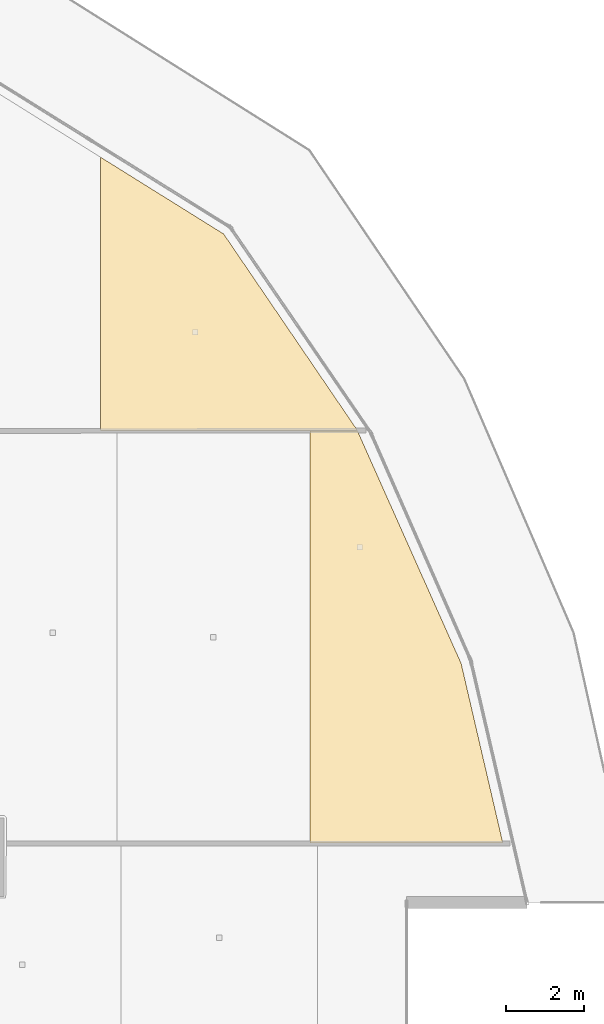
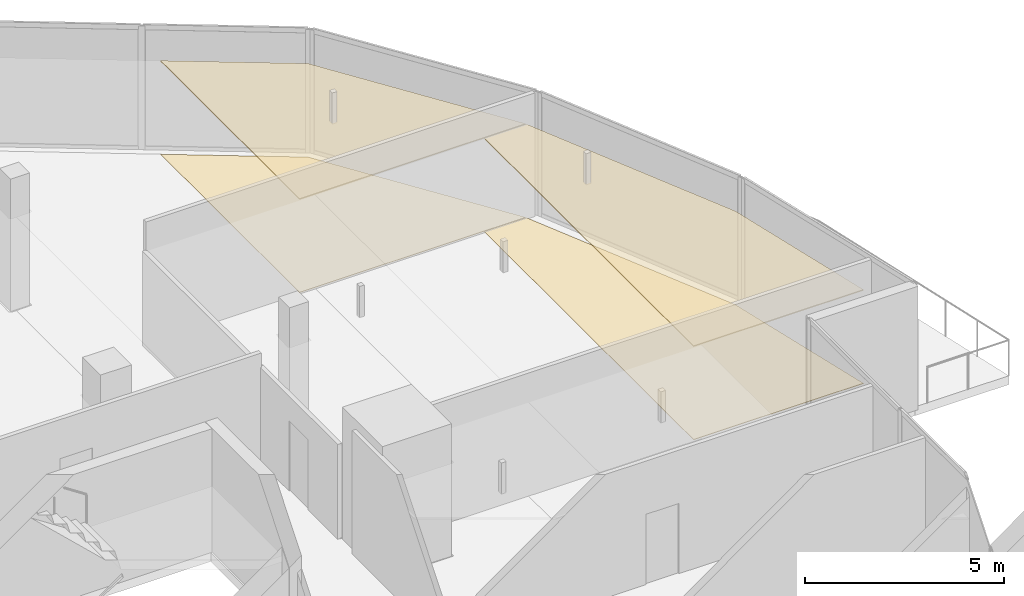
# One storey, part 37 of 37: 4 coverings.
"""IFC4 building model written with IfcOpenShell, lengths in metres."""

from ifc_helpers import new_model, si_unit, direction, frame, origin, place, context, subcontext, project, spatial, polyline, outline, extrude, material, layer, layer_set, type_object, element, save


model = new_model("IFC4")

# Units and contexts
model_context = context("Model", 3, precision=1e-05, world=origin(), true_north=direction((0.0, 1.0)))
body_context = subcontext(model_context, "Body", "Model", "MODEL_VIEW")
ifc_project = project(units=[si_unit("LENGTHUNIT", "METRE"), si_unit("AREAUNIT", "SQUARE_METRE"), si_unit("VOLUMEUNIT", "CUBIC_METRE"), si_unit("PLANEANGLEUNIT", "RADIAN"), si_unit("MASSUNIT", "GRAM", prefix="KILO")], contexts=[model_context])

# Site, building, storey
site_placement = place(None, origin())
site = spatial("IfcSite", under=ifc_project, at=site_placement, CompositionType="ELEMENT")
building_placement = place(site_placement, origin())
building = spatial("IfcBuilding", under=site, at=building_placement, Name="Qorvath Tower", CompositionType="ELEMENT")
storey_placement = place(building_placement, frame((0.0, 0.0, 184.800048828125)))
storey = spatial("IfcBuildingStorey", under=building, at=storey_placement, Name="L42", CompositionType="ELEMENT", Elevation=184.800048828125)

# Coverings
ifc_material_1 = material(Name="Acoustic mineral fibre ceiling tile", Category="gypsum")
ifc_layer_1 = layer(ifc_material_1, 0.030029296875)
ifc_layer_set_1 = layer_set([ifc_layer_1], Name="COV-CEIL")
covering_type_1 = type_object("IfcCoveringType", Name="COV-CEIL", PredefinedType="CEILING", material=ifc_layer_set_1)
covering_1_placement = place(storey_placement, frame((0.0, 0.0, 2.849853515625)))
element("IfcCovering", 1, at=covering_1_placement, inside=storey, type_object=covering_type_1, Name="L42 Suspended Acoustic Ceiling 015", PredefinedType="CEILING", context=body_context, shape_type="SweptSolid", body=[
    extrude(outline(polyline([(-8.6396484375, 23.598876953125), (-8.6396484375, 16.629638671875), (-2.091064453125, 16.634765625), (-5.499755859375, 21.64013671875), (-8.6396484375, 23.598876953125)])), origin(), (0.0, 0.0, 1.0), 0.030029296875),
])
covering_2_placement = place(storey_placement, frame((0.0, 0.0, 2.849853515625)))
element("IfcCovering", 2, at=covering_2_placement, inside=storey, type_object=covering_type_1, Name="L42 Suspended Acoustic Ceiling 035", PredefinedType="CEILING", context=body_context, shape_type="SweptSolid", body=[
    extrude(outline(polyline([(-3.302978515625, 16.615966796875), (-3.302978515625, 6.121826171875), (1.614013671875, 6.121826171875), (0.552734375, 10.695068359375), (-2.088134765625, 16.616943359375), (-3.302978515625, 16.615966796875)])), origin(), (0.0, 0.0, 1.0), 0.030029296875),
])
ifc_material_2 = material(Name="Low-VOC modular carpet tile", Category="textile")
ifc_layer_2 = layer(ifc_material_2, 0.014892578125)
ifc_layer_set_2 = layer_set([ifc_layer_2], Name="COV-FLOOR-CPT")
covering_type_2 = type_object("IfcCoveringType", Name="COV-FLOOR-CPT", PredefinedType="FLOORING", material=ifc_layer_set_2)
covering_3_placement = place(storey_placement, origin())
element("IfcCovering", 3, at=covering_3_placement, inside=storey, type_object=covering_type_2, Name="L42 Floor Finish 015", PredefinedType="FLOORING", context=body_context, shape_type="SweptSolid", body=[
    extrude(outline(polyline([(-8.6396484375, 23.598876953125), (-8.6396484375, 16.629638671875), (-2.091064453125, 16.634765625), (-5.499755859375, 21.64013671875), (-8.6396484375, 23.598876953125)])), origin(), (0.0, 0.0, 1.0), 0.014892578125),
])
covering_4_placement = place(storey_placement, origin())
element("IfcCovering", 4, at=covering_4_placement, inside=storey, type_object=covering_type_2, Name="L42 Floor Finish 035", PredefinedType="FLOORING", context=body_context, shape_type="SweptSolid", body=[
    extrude(outline(polyline([(-3.302978515625, 16.615966796875), (-3.302978515625, 6.121826171875), (1.614013671875, 6.121826171875), (0.552734375, 10.695068359375), (-2.088134765625, 16.616943359375), (-3.302978515625, 16.615966796875)])), origin(), (0.0, 0.0, 1.0), 0.014892578125),
])

save(model, "model.ifc")
